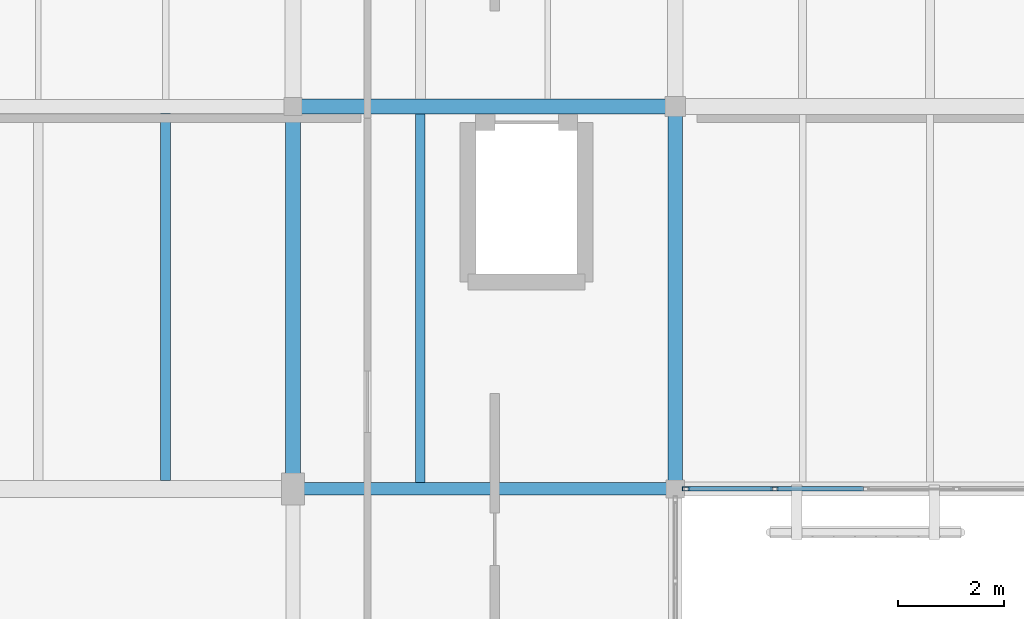
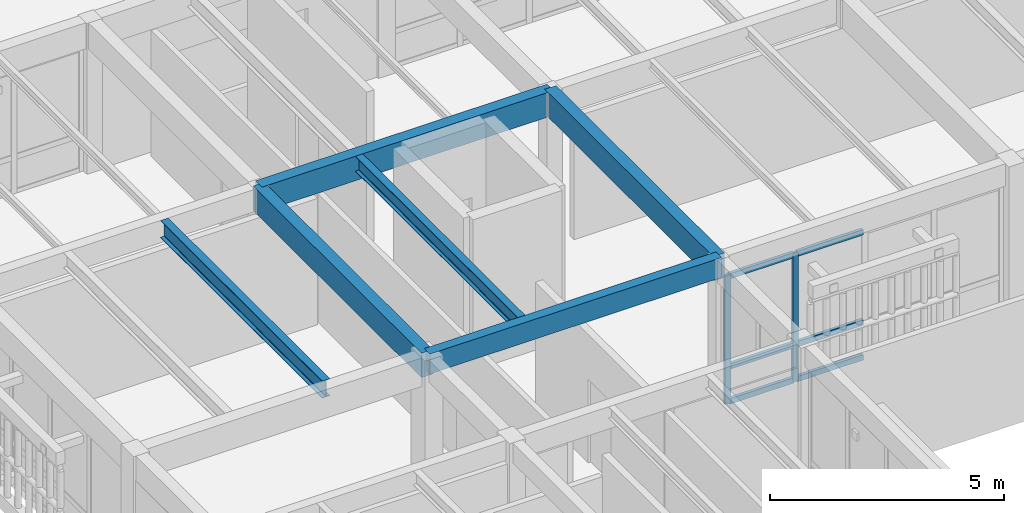
# One storey, part 62 of 112: 8 members, 6 beams, 1 element without a shape of its own.
"""IFC4 building model written with IfcOpenShell, lengths in metres."""

from ifc_helpers import new_model, si_unit, direction, frame, origin, origin_2d, place, context, subcontext, project, spatial, rectangle, hollow_rectangle, i_section, extrude, material, layer, layer_set, material_profile, profile_set, type_object, element, aggregate, save


model = new_model("IFC4")

# Units and contexts
model_context = context("Model", 3, precision=1e-05, world=origin(), true_north=direction((0.0, 1.0)))
body_context = subcontext(model_context, "Body", "Model", "MODEL_VIEW")
ifc_project = project(units=[si_unit("LENGTHUNIT", "METRE"), si_unit("AREAUNIT", "SQUARE_METRE"), si_unit("VOLUMEUNIT", "CUBIC_METRE"), si_unit("PLANEANGLEUNIT", "RADIAN"), si_unit("MASSUNIT", "GRAM", prefix="KILO")], contexts=[model_context])

# Site, building, storey
site_placement = place(None, origin())
site = spatial("IfcSite", under=ifc_project, at=site_placement, CompositionType="ELEMENT")
building_placement = place(site_placement, origin())
building = spatial("IfcBuilding", under=site, at=building_placement, Name="Mazaris Harbour Polytechnic", CompositionType="ELEMENT")
storey_placement = place(building_placement, frame((0.0, 0.0, 13.800048828125)))
storey = spatial("IfcBuildingStorey", under=building, at=storey_placement, Name="L03", CompositionType="ELEMENT", Elevation=13.800048828125)

# Curtain wall, members
ifc_material_1 = material(Name="Anodised Bronze Aluminium and Low-E Glass", Category="aluminium")
ifc_layer = layer(ifc_material_1, 0.169921875, Name="Anodised Bronze Aluminium and Low-E Glass")
ifc_layer_set = layer_set([ifc_layer], Name="Anodised Bronze Aluminium and Low-E Glass")
curtain_wall_type = type_object("IfcCurtainWallType", Name="Studio North-Light Curtain Wall", PredefinedType="NOTDEFINED", material=ifc_layer_set)
curtain_wall_placement = place(storey_placement, origin())
curtain_wall = element("IfcCurtainWall", 1, at=curtain_wall_placement, inside=storey, type_object=curtain_wall_type, Name="V5 L03 Curtain Wall 260", PredefinedType="NOTDEFINED")
ifc_material_2 = material(Name="Anodised Bronze Steel S355", Category="steel")
ifc_material_profile_1 = material_profile(ifc_material_2, hollow_rectangle(XDim=0.080078125, YDim=0.139892578125, WallThickness=0.00634765625, at=origin_2d()), Name="RHS 80x140x6.3")
ifc_profile_set_1 = profile_set([ifc_material_profile_1], Name="Anodised Bronze Steel S355")
member_type_1 = type_object("IfcMemberType", Name="Curtain Mullion RHS80x140", PredefinedType="MULLION", material=ifc_profile_set_1)
member_1_placement = place(storey_placement, frame((138.673583984375, 86.39990234375, 0.0), z_axis=(0.0, 0.0, 1.0), x_axis=(0.0, -1.0, 0.0)))
member_1 = element("IfcMember", 2, at=member_1_placement, type_object=member_type_1, Name="CW-03 mullion 4", PredefinedType="MULLION", context=body_context, shape_type="SweptSolid", body=[
    extrude(hollow_rectangle(XDim=0.080078125, YDim=0.139892578125, WallThickness=0.00634765625, at=origin_2d()), origin(), (0.0, 0.0, 1.0), 3.344970703125),
])
member_2_placement = place(storey_placement, frame((137.001953125, 86.39990234375, 0.0), z_axis=(0.0, 0.0, 1.0), x_axis=(0.0, -1.0, 0.0)))
member_2 = element("IfcMember", 3, at=member_2_placement, type_object=member_type_1, Name="CW-03 mullion 5", PredefinedType="MULLION", context=body_context, shape_type="SweptSolid", body=[
    extrude(hollow_rectangle(XDim=0.080078125, YDim=0.139892578125, WallThickness=0.00634765625, at=origin_2d()), origin(), (0.0, 0.0, 1.0), 3.344970703125),
])
ifc_material_3 = material(Name="Anodised Bronze Steel S355", Category="steel")
ifc_material_profile_2 = material_profile(ifc_material_3, hollow_rectangle(XDim=0.080078125, YDim=0.139892578125, WallThickness=0.00634765625, at=origin_2d()), Name="RHS 80x140x6.3")
ifc_profile_set_2 = profile_set([ifc_material_profile_2], Name="Anodised Bronze Steel S355")
member_type_2 = type_object("IfcMemberType", Name="Curtain Transom RHS80x140", PredefinedType="USERDEFINED", material=ifc_profile_set_2)
member_3_placement = place(storey_placement, frame((140.344970703125, 86.39990234375, 0.0400390625), z_axis=(-1.0, 0.0, 0.0), x_axis=(0.0, -1.0, 0.0)))
member_3 = element("IfcMember", 4, at=member_3_placement, type_object=member_type_2, Name="CW-03 transom 3.1", ObjectType="TRANSOM", PredefinedType="USERDEFINED", context=body_context, shape_type="SweptSolid", body=[
    extrude(hollow_rectangle(XDim=0.080078125, YDim=0.139892578125, WallThickness=0.00634765625, at=origin_2d()), origin(), (0.0, 0.0, 1.0), 1.631591796875),
])
member_4_placement = place(storey_placement, frame((140.344970703125, 86.39990234375, 0.949951171875), z_axis=(-1.0, 0.0, 0.0), x_axis=(0.0, -1.0, 0.0)))
member_4 = element("IfcMember", 5, at=member_4_placement, type_object=member_type_2, Name="CW-03 transom 3.2", ObjectType="TRANSOM", PredefinedType="USERDEFINED", context=body_context, shape_type="SweptSolid", body=[
    extrude(hollow_rectangle(XDim=0.080078125, YDim=0.139892578125, WallThickness=0.00634765625, at=origin_2d()), origin(), (0.0, 0.0, 1.0), 1.631591796875),
])
member_5_placement = place(storey_placement, frame((140.344970703125, 86.39990234375, 3.304931640625), z_axis=(-1.0, 0.0, 0.0), x_axis=(0.0, -1.0, 0.0)))
member_5 = element("IfcMember", 6, at=member_5_placement, type_object=member_type_2, Name="CW-03 transom 3.3", ObjectType="TRANSOM", PredefinedType="USERDEFINED", context=body_context, shape_type="SweptSolid", body=[
    extrude(hollow_rectangle(XDim=0.080078125, YDim=0.139892578125, WallThickness=0.00634765625, at=origin_2d()), origin(), (0.0, 0.0, 1.0), 1.631591796875),
])
member_6_placement = place(storey_placement, frame((138.633544921875, 86.39990234375, 0.0400390625), z_axis=(-1.0, 0.0, 0.0), x_axis=(0.0, -1.0, 0.0)))
member_6 = element("IfcMember", 7, at=member_6_placement, type_object=member_type_2, Name="CW-03 transom 4.1", ObjectType="TRANSOM", PredefinedType="USERDEFINED", context=body_context, shape_type="SweptSolid", body=[
    extrude(hollow_rectangle(XDim=0.080078125, YDim=0.139892578125, WallThickness=0.00634765625, at=origin_2d()), origin(), (0.0, 0.0, 1.0), 1.591552734375),
])
member_7_placement = place(storey_placement, frame((138.633544921875, 86.39990234375, 0.949951171875), z_axis=(-1.0, 0.0, 0.0), x_axis=(0.0, -1.0, 0.0)))
member_7 = element("IfcMember", 8, at=member_7_placement, type_object=member_type_2, Name="CW-03 transom 4.2", ObjectType="TRANSOM", PredefinedType="USERDEFINED", context=body_context, shape_type="SweptSolid", body=[
    extrude(hollow_rectangle(XDim=0.080078125, YDim=0.139892578125, WallThickness=0.00634765625, at=origin_2d()), origin(), (0.0, 0.0, 1.0), 1.591552734375),
])
member_8_placement = place(storey_placement, frame((138.633544921875, 86.39990234375, 3.304931640625), z_axis=(-1.0, 0.0, 0.0), x_axis=(0.0, -1.0, 0.0)))
member_8 = element("IfcMember", 9, at=member_8_placement, type_object=member_type_2, Name="CW-03 transom 4.3", ObjectType="TRANSOM", PredefinedType="USERDEFINED", context=body_context, shape_type="SweptSolid", body=[
    extrude(hollow_rectangle(XDim=0.080078125, YDim=0.139892578125, WallThickness=0.00634765625, at=origin_2d()), origin(), (0.0, 0.0, 1.0), 1.591552734375),
])
aggregate(curtain_wall, [member_1, member_2, member_3, member_4, member_5, member_6, member_7, member_8])

# Beams
ifc_material_4 = material(Name="Glulam GL32h", Category="wood")
ifc_material_profile_3 = material_profile(ifc_material_4, rectangle(XDim=0.239990234375, YDim=0.52001953125, at=origin_2d()), Name="RECT240x520")
ifc_profile_set_3 = profile_set([ifc_material_profile_3], Name="Glulam GL32h")
beam_type_1 = type_object("IfcBeamType", Name="Glulam Girder 240x520", PredefinedType="BEAM", material=ifc_profile_set_3)
beam_1_placement = place(storey_placement, frame((129.60009765625, 86.39990234375, 3.675048828125), z_axis=(1.0, 0.0, 0.0), x_axis=(0.0, 1.0, 0.0)))
element("IfcBeam", 10, at=beam_1_placement, inside=storey, type_object=beam_type_1, Name="V5 L03 Girder 3310", PredefinedType="BEAM", context=body_context, shape_type="SweptSolid", body=[
    extrude(rectangle(XDim=0.239990234375, YDim=0.52001953125, at=origin_2d()), origin(), (0.0, 0.0, 1.0), 7.199951171875),
])
ifc_material_5 = material(Name="Glulam GL32h", Category="wood")
ifc_material_profile_4 = material_profile(ifc_material_5, rectangle(XDim=0.280029296875, YDim=0.639892578125, at=origin_2d()), Name="RECT280x640")
ifc_profile_set_4 = profile_set([ifc_material_profile_4], Name="Glulam GL32h")
beam_type_2 = type_object("IfcBeamType", Name="Glulam Girder 280x640", PredefinedType="BEAM", material=ifc_profile_set_4)
beam_2_placement = place(storey_placement, frame((129.60009765625, 93.60009765625, 3.614990234375), z_axis=(1.0, 0.0, 0.0), x_axis=(0.0, 1.0, 0.0)))
element("IfcBeam", 11, at=beam_2_placement, inside=storey, type_object=beam_type_2, Name="V5 L03 Girder 3317", PredefinedType="BEAM", context=body_context, shape_type="SweptSolid", body=[
    extrude(rectangle(XDim=0.280029296875, YDim=0.639892578125, at=origin_2d()), origin(), (0.0, 0.0, 1.0), 7.199951171875),
])
for number, where, z_axis, x_axis, name in (
    (12, (129.60009765625, 86.39990234375, 3.614990234375), (0.0, 1.0, 0.0), (-1.0, 0.0, 0.0), "V5 L03 Tie Girder 3337"),
    (13, (136.800048828125, 86.39990234375, 3.614990234375), (0.0, 1.0, 0.0), (-1.0, 0.0, 0.0), "V5 L03 Tie Girder 3342"),
):
    element("IfcBeam", number, at=place(storey_placement, frame(where, z_axis=z_axis, x_axis=x_axis)), inside=storey, type_object=beam_type_2, Name=name, PredefinedType="BEAM", context=body_context, shape_type="SweptSolid", body=[
        extrude(rectangle(XDim=0.280029296875, YDim=0.639892578125, at=origin_2d()), origin(), (0.0, 0.0, 1.0), 7.2001953125),
    ])
ifc_material_6 = material(Name="Steel S355", Category="steel")
ifc_material_profile_5 = material_profile(ifc_material_6, i_section(OverallWidth=0.179931640625, OverallDepth=0.39990234375, WebThickness=0.008544921875, FlangeThickness=0.013427734375, FilletRadius=0.02099609375, at=origin_2d()), Name="IPE 400")
ifc_profile_set_5 = profile_set([ifc_material_profile_5], Name="Steel S355")
beam_type_3 = type_object("IfcBeamType", Name="Steel Joist IPE400", PredefinedType="JOIST", material=ifc_profile_set_5)
beam_3_placement = place(storey_placement, frame((132.0, 86.52001953125, 3.73486328125), z_axis=(0.0, 1.0, 0.0), x_axis=(-1.0, 0.0, 0.0)))
element("IfcBeam", 14, at=beam_3_placement, inside=storey, type_object=beam_type_3, Name="V5 L03 Floor Joist 3372", PredefinedType="JOIST", context=body_context, shape_type="SweptSolid", body=[
    extrude(i_section(OverallWidth=0.179931640625, OverallDepth=0.39990234375, WebThickness=0.008544921875, FlangeThickness=0.013427734375, FilletRadius=0.02099609375, at=origin_2d()), origin(), (0.0, 0.0, 1.0), 6.93994140625),
])
ifc_material_7 = material(Name="Steel S355", Category="steel")
ifc_material_profile_6 = material_profile(ifc_material_7, i_section(OverallWidth=0.18994140625, OverallDepth=0.449951171875, WebThickness=0.009521484375, FlangeThickness=0.0146484375, FilletRadius=0.02099609375, at=origin_2d()), Name="IPE 450")
ifc_profile_set_6 = profile_set([ifc_material_profile_6], Name="Steel S355")
beam_type_4 = type_object("IfcBeamType", Name="Steel Joist IPE450", PredefinedType="JOIST", material=ifc_profile_set_6)
beam_4_placement = place(storey_placement, frame((127.199951171875, 86.56005859375, 3.7099609375), z_axis=(0.0, 1.0, 0.0), x_axis=(-1.0, 0.0, 0.0)))
element("IfcBeam", 15, at=beam_4_placement, inside=storey, type_object=beam_type_4, Name="V5 L03 Floor Joist 3366", PredefinedType="JOIST", context=body_context, shape_type="SweptSolid", body=[
    extrude(i_section(OverallWidth=0.18994140625, OverallDepth=0.449951171875, WebThickness=0.009521484375, FlangeThickness=0.0146484375, FilletRadius=0.02099609375, at=origin_2d()), origin(), (0.0, 0.0, 1.0), 6.909912109375),
])

save(model, "model.ifc")
